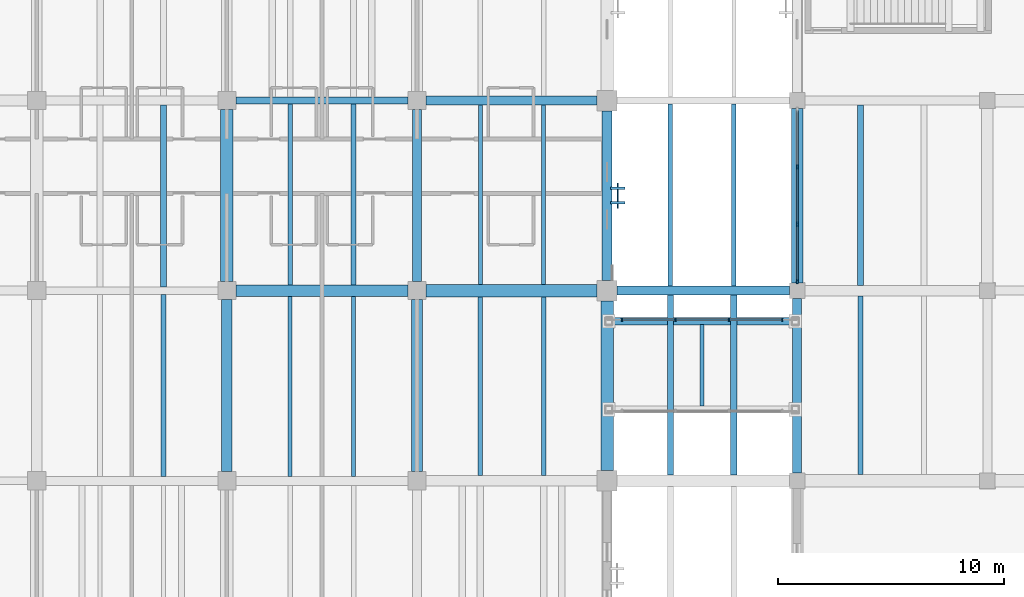
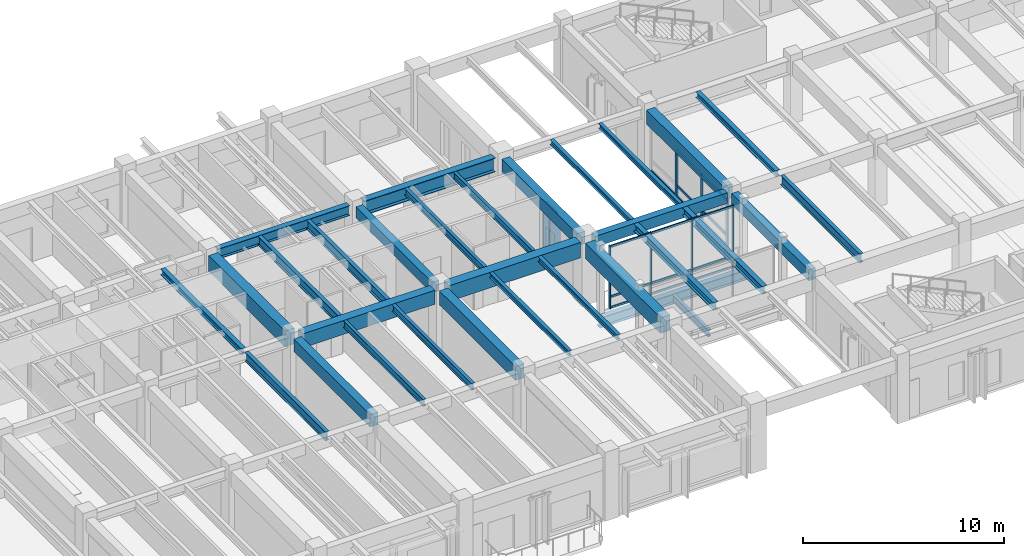
# One storey, part 49 of 132: 31 beams, 26 members, 3 elements without a shape of their own.
"""IFC4 building model written with IfcOpenShell, lengths in metres."""

from ifc_helpers import new_model, si_unit, direction, frame, origin, origin_2d, place, context, subcontext, project, spatial, rectangle, i_section, extrude, material, material_profile, profile_set, type_object, element, aggregate, save


model = new_model("IFC4")

# Units and contexts
model_context = context("Model", 3, precision=1e-05, world=origin(), true_north=direction((0.0, 1.0)))
body_context = subcontext(model_context, "Body", "Model", "MODEL_VIEW")
ifc_project = project(units=[si_unit("LENGTHUNIT", "METRE"), si_unit("AREAUNIT", "SQUARE_METRE"), si_unit("VOLUMEUNIT", "CUBIC_METRE"), si_unit("PLANEANGLEUNIT", "RADIAN"), si_unit("MASSUNIT", "GRAM", prefix="KILO")], contexts=[model_context])

# Site, building, storey
site_placement = place(None, origin())
site = spatial("IfcSite", under=ifc_project, at=site_placement, CompositionType="ELEMENT")
building_placement = place(site_placement, origin())
building = spatial("IfcBuilding", under=site, at=building_placement, Name="Cumbredor Promenade Congress Hotel", CompositionType="ELEMENT")
storey_placement = place(building_placement, frame((0.0, 0.0, 7.56005859375)))
storey = spatial("IfcBuildingStorey", under=building, at=storey_placement, Name="L02", CompositionType="ELEMENT", Elevation=7.56005859375)

# Beams
ifc_material_1 = material(Name="Concrete C40/50", Category="concrete")
ifc_material_profile_1 = material_profile(ifc_material_1, rectangle(XDim=0.39990234375, YDim=0.64990234375, at=origin_2d()), Name="RC BEAM 400x650")
ifc_profile_set_1 = profile_set([ifc_material_profile_1], Name="Concrete C40/50")
beam_type_1 = type_object("IfcBeamType", Name="BM-RC-400x650", PredefinedType="BEAM", material=ifc_profile_set_1)
for number, where, z_axis, x_axis, name in (
    (1, (75.60009765625, 101.199951171875, 3.474853515625), (0.0, 1.0, 0.0), (-1.0, 0.0, 0.0), "L03 Y-Grid Beam 136"),
    (2, (84.449951171875, 100.800048828125, 3.474853515625), (1.0, 0.0, 0.0), (0.0, 1.0, 0.0), "L03 X-Grid Beam 144"),
):
    element("IfcBeam", number, at=place(storey_placement, frame(where, z_axis=z_axis, x_axis=x_axis)), inside=storey, type_object=beam_type_1, Name=name, PredefinedType="BEAM", context=body_context, shape_type="SweptSolid", body=[
        extrude(rectangle(XDim=0.39990234375, YDim=0.64990234375, at=origin_2d()), origin(), (0.0, 0.0, 1.0), 7.60009765625),
    ])
beam_1_placement = place(storey_placement, frame((92.39990234375, 92.75, 3.474853515625), z_axis=(0.0, 1.0, 0.0), x_axis=(-1.0, 0.0, 0.0)))
element("IfcBeam", 3, at=beam_1_placement, inside=storey, type_object=beam_type_1, Name="L03 Y-Grid Beam 152", PredefinedType="BEAM", context=body_context, shape_type="SweptSolid", body=[
    extrude(rectangle(XDim=0.39990234375, YDim=0.64990234375, at=origin_2d()), origin(), (0.0, 0.0, 1.0), 7.699951171875),
])
ifc_material_profile_2 = material_profile(ifc_material_1, rectangle(XDim=0.449951171875, YDim=0.75, at=origin_2d()), Name="RC BEAM 450x750")
ifc_profile_set_2 = profile_set([ifc_material_profile_2], Name="Concrete C40/50")
beam_type_2 = type_object("IfcBeamType", Name="BM-RC-450x750", PredefinedType="BEAM", material=ifc_profile_set_2)
beam_2_placement = place(storey_placement, frame((67.199951171875, 92.800048828125, 3.425048828125), z_axis=(0.0, 1.0, 0.0), x_axis=(-1.0, 0.0, 0.0)))
element("IfcBeam", 4, at=beam_2_placement, inside=storey, type_object=beam_type_2, Name="L03 Y-Grid Beam 125", PredefinedType="BEAM", context=body_context, shape_type="SweptSolid", body=[
    extrude(rectangle(XDim=0.449951171875, YDim=0.75, at=origin_2d()), origin(), (0.0, 0.0, 1.0), 7.599853515625),
])
beam_3_placement = place(storey_placement, frame((84.0, 101.25, 3.425048828125), z_axis=(0.0, 1.0, 0.0), x_axis=(-1.0, 0.0, 0.0)))
element("IfcBeam", 5, at=beam_3_placement, inside=storey, type_object=beam_type_2, Name="L03 Y-Grid Beam 145", PredefinedType="BEAM", context=body_context, shape_type="SweptSolid", body=[
    extrude(rectangle(XDim=0.449951171875, YDim=0.75, at=origin_2d()), origin(), (0.0, 0.0, 1.0), 7.5),
])
ifc_material_profile_3 = material_profile(ifc_material_1, rectangle(XDim=0.5, YDim=0.85009765625, at=origin_2d()), Name="RC BEAM 500x850")
ifc_profile_set_3 = profile_set([ifc_material_profile_3], Name="Concrete C40/50")
beam_type_3 = type_object("IfcBeamType", Name="BM-RC-500x850", PredefinedType="BEAM", material=ifc_profile_set_3)
for number, where, z_axis, x_axis, name in (
    (6, (67.60009765625, 100.800048828125, 3.375), (1.0, 0.0, 0.0), (0.0, 1.0, 0.0), "L03 X-Grid Beam 126"),
    (7, (75.60009765625, 92.800048828125, 3.375), (0.0, 1.0, 0.0), (-1.0, 0.0, 0.0), "L03 Y-Grid Beam 134"),
):
    element("IfcBeam", number, at=place(storey_placement, frame(where, z_axis=z_axis, x_axis=x_axis)), inside=storey, type_object=beam_type_3, Name=name, PredefinedType="BEAM", context=body_context, shape_type="SweptSolid", body=[
        extrude(rectangle(XDim=0.5, YDim=0.85009765625, at=origin_2d()), origin(), (0.0, 0.0, 1.0), 7.599853515625),
    ])
beam_4_placement = place(storey_placement, frame((92.39990234375, 101.14990234375, 3.375), z_axis=(0.0, 1.0, 0.0), x_axis=(-1.0, 0.0, 0.0)))
element("IfcBeam", 8, at=beam_4_placement, inside=storey, type_object=beam_type_3, Name="L03 Y-Grid Beam 154", PredefinedType="BEAM", context=body_context, shape_type="SweptSolid", body=[
    extrude(rectangle(XDim=0.5, YDim=0.85009765625, at=origin_2d()), origin(), (0.0, 0.0, 1.0), 7.7001953125),
])
ifc_material_profile_4 = material_profile(ifc_material_1, rectangle(XDim=0.550048828125, YDim=0.949951171875, at=origin_2d()), Name="RC BEAM 550x950")
ifc_profile_set_4 = profile_set([ifc_material_profile_4], Name="Concrete C40/50")
beam_type_4 = type_object("IfcBeamType", Name="BM-RC-550x950", PredefinedType="BEAM", material=ifc_profile_set_4)
beam_5_placement = place(storey_placement, frame((67.199951171875, 101.199951171875, 3.324951171875), z_axis=(0.0, 1.0, 0.0), x_axis=(-1.0, 0.0, 0.0)))
element("IfcBeam", 9, at=beam_5_placement, inside=storey, type_object=beam_type_4, Name="L03 Y-Grid Beam 127", PredefinedType="BEAM", context=body_context, shape_type="SweptSolid", body=[
    extrude(rectangle(XDim=0.550048828125, YDim=0.949951171875, at=origin_2d()), origin(), (0.0, 0.0, 1.0), 7.60009765625),
])
beam_6_placement = place(storey_placement, frame((76.0, 100.800048828125, 3.324951171875), z_axis=(1.0, 0.0, 0.0), x_axis=(0.0, 1.0, 0.0)))
element("IfcBeam", 10, at=beam_6_placement, inside=storey, type_object=beam_type_4, Name="L03 X-Grid Beam 135", PredefinedType="BEAM", context=body_context, shape_type="SweptSolid", body=[
    extrude(rectangle(XDim=0.550048828125, YDim=0.949951171875, at=origin_2d()), origin(), (0.0, 0.0, 1.0), 7.550048828125),
])
beam_7_placement = place(storey_placement, frame((84.0, 92.85009765625, 3.324951171875), z_axis=(0.0, 1.0, 0.0), x_axis=(-1.0, 0.0, 0.0)))
element("IfcBeam", 11, at=beam_7_placement, inside=storey, type_object=beam_type_4, Name="L03 Y-Grid Beam 143", PredefinedType="BEAM", context=body_context, shape_type="SweptSolid", body=[
    extrude(rectangle(XDim=0.550048828125, YDim=0.949951171875, at=origin_2d()), origin(), (0.0, 0.0, 1.0), 7.5),
])
ifc_material_2 = material(Name="Steel ASTM A992 Grade 50", Category="steel")
ifc_material_profile_5 = material_profile(ifc_material_2, i_section(OverallWidth=0.323974609375, OverallDepth=0.611083984375, WebThickness=0.0126953125, FlangeThickness=0.01904296875, at=origin_2d()), Name="W24X104")
ifc_profile_set_5 = profile_set([ifc_material_profile_5], Name="Steel ASTM A992 Grade 50")
beam_type_5 = type_object("IfcBeamType", Name="BM-W24X104", PredefinedType="BEAM", material=ifc_profile_set_5)
beam_8_placement = place(storey_placement, frame((67.60009765625, 109.199951171875, 3.494384765625), z_axis=(1.0, 0.0, 0.0), x_axis=(0.0, 1.0, 0.0)))
element("IfcBeam", 12, at=beam_8_placement, inside=storey, type_object=beam_type_5, Name="L03 X-Grid Beam 128", PredefinedType="BEAM", context=body_context, shape_type="SweptSolid", body=[
    extrude(i_section(OverallWidth=0.323974609375, OverallDepth=0.611083984375, WebThickness=0.0126953125, FlangeThickness=0.01904296875, at=origin_2d()), origin(), (0.0, 0.0, 1.0), 7.599853515625),
])
beam_9_placement = place(storey_placement, frame((83.9599609375, 99.449951171875, -0.525634765625), z_axis=(1.0, 0.0, 0.0), x_axis=(0.0, 1.0, 0.0)))
element("IfcBeam", 13, at=beam_9_placement, inside=storey, type_object=beam_type_5, Name="L02 North Hotel-to-Forum Glazed Bridge Edge Girder 2", PredefinedType="BEAM", context=body_context, shape_type="SweptSolid", body=[
    extrude(i_section(OverallWidth=0.323974609375, OverallDepth=0.611083984375, WebThickness=0.0126953125, FlangeThickness=0.01904296875, at=origin_2d()), origin(), (0.0, 0.0, 1.0), 8.47998046875),
])
ifc_material_profile_6 = material_profile(ifc_material_2, i_section(OverallWidth=0.39990234375, OverallDepth=0.85498046875, WebThickness=0.018310546875, FlangeThickness=0.029296875, at=origin_2d()), Name="W33X201")
ifc_profile_set_6 = profile_set([ifc_material_profile_6], Name="Steel ASTM A992 Grade 50")
beam_type_6 = type_object("IfcBeamType", Name="BM-W33X201", PredefinedType="BEAM", material=ifc_profile_set_6)
beam_10_placement = place(storey_placement, frame((76.0, 109.199951171875, 3.37255859375), z_axis=(1.0, 0.0, 0.0), x_axis=(0.0, 1.0, 0.0)))
element("IfcBeam", 14, at=beam_10_placement, inside=storey, type_object=beam_type_6, Name="L03 X-Grid Beam 137", PredefinedType="BEAM", context=body_context, shape_type="SweptSolid", body=[
    extrude(i_section(OverallWidth=0.39990234375, OverallDepth=0.85498046875, WebThickness=0.018310546875, FlangeThickness=0.029296875, at=origin_2d()), origin(), (0.0, 0.0, 1.0), 7.550048828125),
])

# Curtain wall, members
ifc_material_3 = material(Name="Thermally broken anodized aluminium and low-E glass", Category="aluminium")
curtain_wall_type_1 = type_object("IfcCurtainWallType", Name="Unitised Bridge Glazing Screen CW-05", PredefinedType="NOTDEFINED", material=ifc_material_3)
curtain_wall_1_placement = place(storey_placement, origin())
curtain_wall_1 = element("IfcCurtainWall", 15, at=curtain_wall_1_placement, inside=storey, type_object=curtain_wall_type_1, Name="L02 North Hotel-to-Forum Glazed Bridge North Glazing Screen", PredefinedType="NOTDEFINED")
ifc_material_4 = material(Name="Thermally broken anodized aluminium", Category="aluminium")
ifc_material_profile_7 = material_profile(ifc_material_4, rectangle(XDim=0.06494140625, YDim=0.159912109375, at=origin_2d()), Name="ALU MULLION 65x160")
ifc_profile_set_7 = profile_set([ifc_material_profile_7], Name="Thermally broken anodized aluminium")
member_type_1 = type_object("IfcMemberType", Name="Curtain Wall Mullion ML-01", PredefinedType="MULLION", material=ifc_profile_set_7)
member_1_placement = place(storey_placement, frame((84.659912109375, 99.52001953125, -0.008056640625), z_axis=(0.0, 0.0, 1.0), x_axis=(1.0, 0.0, 0.0)))
member_1 = element("IfcMember", 16, at=member_1_placement, type_object=member_type_1, Name="L02 North Hotel-to-Forum Glazed Bridge North Glazing Screen Mullion 1", PredefinedType="MULLION", context=body_context, shape_type="SweptSolid", body=[
    extrude(rectangle(XDim=0.06494140625, YDim=0.159912109375, at=origin_2d()), origin(), (0.0, 0.0, 1.0), 3.8359375),
])
member_2_placement = place(storey_placement, frame((87.02001953125, 99.52001953125, -0.008056640625), z_axis=(0.0, 0.0, 1.0), x_axis=(1.0, 0.0, 0.0)))
member_2 = element("IfcMember", 17, at=member_2_placement, type_object=member_type_1, Name="L02 North Hotel-to-Forum Glazed Bridge North Glazing Screen Mullion 2", PredefinedType="MULLION", context=body_context, shape_type="SweptSolid", body=[
    extrude(rectangle(XDim=0.06494140625, YDim=0.159912109375, at=origin_2d()), origin(), (0.0, 0.0, 1.0), 3.8359375),
])
member_3_placement = place(storey_placement, frame((89.3798828125, 99.52001953125, -0.008056640625), z_axis=(0.0, 0.0, 1.0), x_axis=(1.0, 0.0, 0.0)))
member_3 = element("IfcMember", 18, at=member_3_placement, type_object=member_type_1, Name="L02 North Hotel-to-Forum Glazed Bridge North Glazing Screen Mullion 3", PredefinedType="MULLION", context=body_context, shape_type="SweptSolid", body=[
    extrude(rectangle(XDim=0.06494140625, YDim=0.159912109375, at=origin_2d()), origin(), (0.0, 0.0, 1.0), 3.8359375),
])
member_4_placement = place(storey_placement, frame((91.739990234375, 99.52001953125, -0.008056640625), z_axis=(0.0, 0.0, 1.0), x_axis=(1.0, 0.0, 0.0)))
member_4 = element("IfcMember", 19, at=member_4_placement, type_object=member_type_1, Name="L02 North Hotel-to-Forum Glazed Bridge North Glazing Screen Mullion 4", PredefinedType="MULLION", context=body_context, shape_type="SweptSolid", body=[
    extrude(rectangle(XDim=0.06494140625, YDim=0.159912109375, at=origin_2d()), origin(), (0.0, 0.0, 1.0), 3.8359375),
])

curtain_wall_type_2 = type_object("IfcCurtainWallType", Name="Unitised Forum Curtain Wall CW-02", PredefinedType="NOTDEFINED", material=ifc_material_3)
curtain_wall_2_placement = place(storey_placement, origin())
curtain_wall_2 = element("IfcCurtainWall", 20, at=curtain_wall_2_placement, inside=storey, type_object=curtain_wall_type_2, Name="L02 Pre-Function and Breakout Meeting Forum West Curtain Wall 3", PredefinedType="NOTDEFINED")
ifc_material_profile_8 = material_profile(ifc_material_4, rectangle(XDim=0.074951171875, YDim=0.199951171875, at=origin_2d()), Name="ALU MULLION 75x200")
ifc_profile_set_8 = profile_set([ifc_material_profile_8], Name="Thermally broken anodized aluminium")
member_type_2 = type_object("IfcMemberType", Name="Curtain Wall Mullion ML-02", PredefinedType="MULLION", material=ifc_profile_set_8)
member_5_placement = place(storey_placement, frame((92.39990234375, 101.205078125, -0.008056640625), z_axis=(0.0, 0.0, 1.0), x_axis=(1.0, 0.0, 0.0)))
member_5 = element("IfcMember", 21, at=member_5_placement, type_object=member_type_2, Name="L02 Pre-Function and Breakout Meeting Forum West Curtain Wall 3 Mullion 1", PredefinedType="MULLION", context=body_context, shape_type="SweptSolid", body=[
    extrude(rectangle(XDim=0.074951171875, YDim=0.199951171875, at=origin_2d()), origin(), (0.0, 0.0, 1.0), 2.950927734375),
])
member_6_placement = place(storey_placement, frame((92.39990234375, 103.735107421875, -0.008056640625), z_axis=(0.0, 0.0, 1.0), x_axis=(1.0, 0.0, 0.0)))
member_6 = element("IfcMember", 22, at=member_6_placement, type_object=member_type_2, Name="L02 Pre-Function and Breakout Meeting Forum West Curtain Wall 3 Mullion 2", PredefinedType="MULLION", context=body_context, shape_type="SweptSolid", body=[
    extrude(rectangle(XDim=0.074951171875, YDim=0.199951171875, at=origin_2d()), origin(), (0.0, 0.0, 1.0), 2.950927734375),
])
member_7_placement = place(storey_placement, frame((92.39990234375, 106.264892578125, -0.008056640625), z_axis=(0.0, 0.0, 1.0), x_axis=(1.0, 0.0, 0.0)))
member_7 = element("IfcMember", 23, at=member_7_placement, type_object=member_type_2, Name="L02 Pre-Function and Breakout Meeting Forum West Curtain Wall 3 Mullion 3", PredefinedType="MULLION", context=body_context, shape_type="SweptSolid", body=[
    extrude(rectangle(XDim=0.074951171875, YDim=0.199951171875, at=origin_2d()), origin(), (0.0, 0.0, 1.0), 2.950927734375),
])

# Curtain wall, member
curtain_wall_type_3 = type_object("IfcCurtainWallType", Name="Solar Brise-Soleil Screen Assembly CW-07", PredefinedType="NOTDEFINED", material=ifc_material_3)
curtain_wall_3_placement = place(storey_placement, origin())
curtain_wall_3 = element("IfcCurtainWall", 24, at=curtain_wall_3_placement, inside=storey, type_object=curtain_wall_type_3, Name="L02 Pier Brise-Soleil Screen 0514", PredefinedType="NOTDEFINED")
ifc_material_profile_9 = material_profile(ifc_material_4, rectangle(XDim=0.06494140625, YDim=0.1298828125, at=origin_2d()), Name="ALU TRANSOM 65x130")
ifc_profile_set_9 = profile_set([ifc_material_profile_9], Name="Thermally broken anodized aluminium")
member_type_3 = type_object("IfcMemberType", Name="Curtain Wall Transom TR-01", PredefinedType="USERDEFINED", material=ifc_profile_set_9)
member_8_placement = place(storey_placement, frame((84.472412109375, 104.449951171875, 2.875), z_axis=(0.0, 1.0, 0.0), x_axis=(-1.0, 0.0, 0.0)))
member_8 = element("IfcMember", 25, at=member_8_placement, type_object=member_type_3, Name="L02 Pier Brise-Soleil Header 0516", ObjectType="TRANSOM", PredefinedType="USERDEFINED", context=body_context, shape_type="SweptSolid", body=[
    extrude(rectangle(XDim=0.06494140625, YDim=0.1298828125, at=origin_2d()), origin(), (0.0, 0.0, 1.0), 1.10009765625),
])

# Member
member_9_placement = place(storey_placement, frame((84.6923828125, 99.52001953125, 0.06005859375), z_axis=(1.0, 0.0, 0.0), x_axis=(0.0, 1.0, 0.0)))
member_9 = element("IfcMember", 26, at=member_9_placement, type_object=member_type_3, Name="L02 North Hotel-to-Forum Glazed Bridge North Glazing Screen Transom 1.1", ObjectType="TRANSOM", PredefinedType="USERDEFINED", context=body_context, shape_type="SweptSolid", body=[
    extrude(rectangle(XDim=0.06494140625, YDim=0.1298828125, at=origin_2d()), origin(), (0.0, 0.0, 1.0), 2.295166015625),
])

member_10_placement = place(storey_placement, frame((84.6923828125, 99.52001953125, 0.719970703125), z_axis=(1.0, 0.0, 0.0), x_axis=(0.0, 1.0, 0.0)))
member_10 = element("IfcMember", 27, at=member_10_placement, type_object=member_type_3, Name="L02 North Hotel-to-Forum Glazed Bridge North Glazing Screen Transom 1.2", ObjectType="TRANSOM", PredefinedType="USERDEFINED", context=body_context, shape_type="SweptSolid", body=[
    extrude(rectangle(XDim=0.06494140625, YDim=0.1298828125, at=origin_2d()), origin(), (0.0, 0.0, 1.0), 2.295166015625),
])

member_11_placement = place(storey_placement, frame((84.6923828125, 99.52001953125, 3.760009765625), z_axis=(1.0, 0.0, 0.0), x_axis=(0.0, 1.0, 0.0)))
member_11 = element("IfcMember", 28, at=member_11_placement, type_object=member_type_3, Name="L02 North Hotel-to-Forum Glazed Bridge North Glazing Screen Transom 1.3", ObjectType="TRANSOM", PredefinedType="USERDEFINED", context=body_context, shape_type="SweptSolid", body=[
    extrude(rectangle(XDim=0.06494140625, YDim=0.1298828125, at=origin_2d()), origin(), (0.0, 0.0, 1.0), 2.295166015625),
])

member_12_placement = place(storey_placement, frame((87.052490234375, 99.52001953125, 0.06005859375), z_axis=(1.0, 0.0, 0.0), x_axis=(0.0, 1.0, 0.0)))
member_12 = element("IfcMember", 29, at=member_12_placement, type_object=member_type_3, Name="L02 North Hotel-to-Forum Glazed Bridge North Glazing Screen Transom 2.1", ObjectType="TRANSOM", PredefinedType="USERDEFINED", context=body_context, shape_type="SweptSolid", body=[
    extrude(rectangle(XDim=0.06494140625, YDim=0.1298828125, at=origin_2d()), origin(), (0.0, 0.0, 1.0), 2.294921875),
])

member_13_placement = place(storey_placement, frame((87.052490234375, 99.52001953125, 0.719970703125), z_axis=(1.0, 0.0, 0.0), x_axis=(0.0, 1.0, 0.0)))
member_13 = element("IfcMember", 30, at=member_13_placement, type_object=member_type_3, Name="L02 North Hotel-to-Forum Glazed Bridge North Glazing Screen Transom 2.2", ObjectType="TRANSOM", PredefinedType="USERDEFINED", context=body_context, shape_type="SweptSolid", body=[
    extrude(rectangle(XDim=0.06494140625, YDim=0.1298828125, at=origin_2d()), origin(), (0.0, 0.0, 1.0), 2.294921875),
])

member_14_placement = place(storey_placement, frame((87.052490234375, 99.52001953125, 3.760009765625), z_axis=(1.0, 0.0, 0.0), x_axis=(0.0, 1.0, 0.0)))
member_14 = element("IfcMember", 31, at=member_14_placement, type_object=member_type_3, Name="L02 North Hotel-to-Forum Glazed Bridge North Glazing Screen Transom 2.3", ObjectType="TRANSOM", PredefinedType="USERDEFINED", context=body_context, shape_type="SweptSolid", body=[
    extrude(rectangle(XDim=0.06494140625, YDim=0.1298828125, at=origin_2d()), origin(), (0.0, 0.0, 1.0), 2.294921875),
])

member_15_placement = place(storey_placement, frame((89.41259765625, 99.52001953125, 0.06005859375), z_axis=(1.0, 0.0, 0.0), x_axis=(0.0, 1.0, 0.0)))
member_15 = element("IfcMember", 32, at=member_15_placement, type_object=member_type_3, Name="L02 North Hotel-to-Forum Glazed Bridge North Glazing Screen Transom 3.1", ObjectType="TRANSOM", PredefinedType="USERDEFINED", context=body_context, shape_type="SweptSolid", body=[
    extrude(rectangle(XDim=0.06494140625, YDim=0.1298828125, at=origin_2d()), origin(), (0.0, 0.0, 1.0), 2.294921875),
])

member_16_placement = place(storey_placement, frame((89.41259765625, 99.52001953125, 0.719970703125), z_axis=(1.0, 0.0, 0.0), x_axis=(0.0, 1.0, 0.0)))
member_16 = element("IfcMember", 33, at=member_16_placement, type_object=member_type_3, Name="L02 North Hotel-to-Forum Glazed Bridge North Glazing Screen Transom 3.2", ObjectType="TRANSOM", PredefinedType="USERDEFINED", context=body_context, shape_type="SweptSolid", body=[
    extrude(rectangle(XDim=0.06494140625, YDim=0.1298828125, at=origin_2d()), origin(), (0.0, 0.0, 1.0), 2.294921875),
])

member_17_placement = place(storey_placement, frame((89.41259765625, 99.52001953125, 3.760009765625), z_axis=(1.0, 0.0, 0.0), x_axis=(0.0, 1.0, 0.0)))
member_17 = element("IfcMember", 34, at=member_17_placement, type_object=member_type_3, Name="L02 North Hotel-to-Forum Glazed Bridge North Glazing Screen Transom 3.3", ObjectType="TRANSOM", PredefinedType="USERDEFINED", context=body_context, shape_type="SweptSolid", body=[
    extrude(rectangle(XDim=0.06494140625, YDim=0.1298828125, at=origin_2d()), origin(), (0.0, 0.0, 1.0), 2.294921875),
])

aggregate(curtain_wall_1, [member_1, member_2, member_3, member_4, member_9, member_10, member_11, member_12, member_13, member_14, member_15, member_16, member_17])

ifc_material_profile_10 = material_profile(ifc_material_4, rectangle(XDim=0.074951171875, YDim=0.14990234375, at=origin_2d()), Name="ALU TRANSOM 75x150")
ifc_profile_set_10 = profile_set([ifc_material_profile_10], Name="Thermally broken anodized aluminium")
member_type_4 = type_object("IfcMemberType", Name="Curtain Wall Transom TR-02", PredefinedType="USERDEFINED", material=ifc_profile_set_10)
member_18_placement = place(storey_placement, frame((92.39990234375, 101.242431640625, 0.06982421875), z_axis=(0.0, 1.0, 0.0), x_axis=(-1.0, 0.0, 0.0)))
member_18 = element("IfcMember", 35, at=member_18_placement, type_object=member_type_4, Name="L02 Pre-Function and Breakout Meeting Forum West Curtain Wall 3 Transom 1.1", ObjectType="TRANSOM", PredefinedType="USERDEFINED", context=body_context, shape_type="SweptSolid", body=[
    extrude(rectangle(XDim=0.074951171875, YDim=0.14990234375, at=origin_2d()), origin(), (0.0, 0.0, 1.0), 2.455078125),
])

member_19_placement = place(storey_placement, frame((92.39990234375, 101.242431640625, 0.719970703125), z_axis=(0.0, 1.0, 0.0), x_axis=(-1.0, 0.0, 0.0)))
member_19 = element("IfcMember", 36, at=member_19_placement, type_object=member_type_4, Name="L02 Pre-Function and Breakout Meeting Forum West Curtain Wall 3 Transom 1.2", ObjectType="TRANSOM", PredefinedType="USERDEFINED", context=body_context, shape_type="SweptSolid", body=[
    extrude(rectangle(XDim=0.074951171875, YDim=0.14990234375, at=origin_2d()), origin(), (0.0, 0.0, 1.0), 2.455078125),
])

member_20_placement = place(storey_placement, frame((92.39990234375, 101.242431640625, 2.85986328125), z_axis=(0.0, 1.0, 0.0), x_axis=(-1.0, 0.0, 0.0)))
member_20 = element("IfcMember", 37, at=member_20_placement, type_object=member_type_4, Name="L02 Pre-Function and Breakout Meeting Forum West Curtain Wall 3 Transom 1.3", ObjectType="TRANSOM", PredefinedType="USERDEFINED", context=body_context, shape_type="SweptSolid", body=[
    extrude(rectangle(XDim=0.074951171875, YDim=0.14990234375, at=origin_2d()), origin(), (0.0, 0.0, 1.0), 2.455078125),
])

member_21_placement = place(storey_placement, frame((92.39990234375, 103.7724609375, 0.06982421875), z_axis=(0.0, 1.0, 0.0), x_axis=(-1.0, 0.0, 0.0)))
member_21 = element("IfcMember", 38, at=member_21_placement, type_object=member_type_4, Name="L02 Pre-Function and Breakout Meeting Forum West Curtain Wall 3 Transom 2.1", ObjectType="TRANSOM", PredefinedType="USERDEFINED", context=body_context, shape_type="SweptSolid", body=[
    extrude(rectangle(XDim=0.074951171875, YDim=0.14990234375, at=origin_2d()), origin(), (0.0, 0.0, 1.0), 2.455078125),
])

member_22_placement = place(storey_placement, frame((92.39990234375, 103.7724609375, 0.719970703125), z_axis=(0.0, 1.0, 0.0), x_axis=(-1.0, 0.0, 0.0)))
member_22 = element("IfcMember", 39, at=member_22_placement, type_object=member_type_4, Name="L02 Pre-Function and Breakout Meeting Forum West Curtain Wall 3 Transom 2.2", ObjectType="TRANSOM", PredefinedType="USERDEFINED", context=body_context, shape_type="SweptSolid", body=[
    extrude(rectangle(XDim=0.074951171875, YDim=0.14990234375, at=origin_2d()), origin(), (0.0, 0.0, 1.0), 2.455078125),
])

member_23_placement = place(storey_placement, frame((92.39990234375, 103.7724609375, 2.85986328125), z_axis=(0.0, 1.0, 0.0), x_axis=(-1.0, 0.0, 0.0)))
member_23 = element("IfcMember", 40, at=member_23_placement, type_object=member_type_4, Name="L02 Pre-Function and Breakout Meeting Forum West Curtain Wall 3 Transom 2.3", ObjectType="TRANSOM", PredefinedType="USERDEFINED", context=body_context, shape_type="SweptSolid", body=[
    extrude(rectangle(XDim=0.074951171875, YDim=0.14990234375, at=origin_2d()), origin(), (0.0, 0.0, 1.0), 2.455078125),
])

member_24_placement = place(storey_placement, frame((92.39990234375, 106.302490234375, 0.06982421875), z_axis=(0.0, 1.0, 0.0), x_axis=(-1.0, 0.0, 0.0)))
member_24 = element("IfcMember", 41, at=member_24_placement, type_object=member_type_4, Name="L02 Pre-Function and Breakout Meeting Forum West Curtain Wall 3 Transom 3.1", ObjectType="TRANSOM", PredefinedType="USERDEFINED", context=body_context, shape_type="SweptSolid", body=[
    extrude(rectangle(XDim=0.074951171875, YDim=0.14990234375, at=origin_2d()), origin(), (0.0, 0.0, 1.0), 2.455078125),
])

aggregate(curtain_wall_2, [member_5, member_6, member_7, member_18, member_19, member_20, member_21, member_22, member_23, member_24])

# Beams
ifc_material_profile_11 = material_profile(ifc_material_2, i_section(OverallWidth=0.202880859375, OverallDepth=0.302978515625, WebThickness=0.007568359375, FlangeThickness=0.01318359375, at=origin_2d()), Name="W12X40")
ifc_profile_set_11 = profile_set([ifc_material_profile_11], Name="Steel ASTM A992 Grade 50")
beam_type_7 = type_object("IfcBeamType", Name="JST-W12X40", PredefinedType="JOIST", material=ifc_profile_set_11)
for number, where, z_axis, x_axis, name in (
    (42, (78.39990234375, 92.625, 3.6484375), (0.0, 1.0, 0.0), (-1.0, 0.0, 0.0), "L03 Secondary Floor Joist 0076"),
    (43, (81.199951171875, 92.625, 3.6484375), (0.0, 1.0, 0.0), (-1.0, 0.0, 0.0), "L03 Secondary Floor Joist 0077"),
):
    element("IfcBeam", number, at=place(storey_placement, frame(where, z_axis=z_axis, x_axis=x_axis)), inside=storey, type_object=beam_type_7, Name=name, PredefinedType="JOIST", context=body_context, shape_type="SweptSolid", body=[
        extrude(i_section(OverallWidth=0.202880859375, OverallDepth=0.302978515625, WebThickness=0.007568359375, FlangeThickness=0.01318359375, at=origin_2d()), origin(), (0.0, 0.0, 1.0), 7.89990234375),
    ])
for number, where, z_axis, x_axis, name in (
    (44, (86.800048828125, 101.0, 3.6484375), (0.0, 1.0, 0.0), (-1.0, 0.0, 0.0), "L03 Secondary Floor Joist 0086"),
    (45, (89.60009765625, 101.0, 3.6484375), (0.0, 1.0, 0.0), (-1.0, 0.0, 0.0), "L03 Secondary Floor Joist 0087"),
):
    element("IfcBeam", number, at=place(storey_placement, frame(where, z_axis=z_axis, x_axis=x_axis)), inside=storey, type_object=beam_type_7, Name=name, PredefinedType="JOIST", context=body_context, shape_type="SweptSolid", body=[
        extrude(i_section(OverallWidth=0.202880859375, OverallDepth=0.302978515625, WebThickness=0.007568359375, FlangeThickness=0.01318359375, at=origin_2d()), origin(), (0.0, 0.0, 1.0), 8.0380859375),
    ])
ifc_material_profile_12 = material_profile(ifc_material_2, i_section(OverallWidth=0.2548828125, OverallDepth=0.35693359375, WebThickness=0.010498046875, FlangeThickness=0.018310546875, at=origin_2d()), Name="W14X68")
ifc_profile_set_12 = profile_set([ifc_material_profile_12], Name="Steel ASTM A992 Grade 50")
beam_type_8 = type_object("IfcBeamType", Name="JST-W14X68", PredefinedType="JOIST", material=ifc_profile_set_12)
beam_11_placement = place(storey_placement, frame((64.39990234375, 100.9619140625, 3.621337890625), z_axis=(0.0, 1.0, 0.0), x_axis=(-1.0, 0.0, 0.0)))
element("IfcBeam", 46, at=beam_11_placement, inside=storey, type_object=beam_type_8, Name="L03 Secondary Floor Joist 0063", PredefinedType="JOIST", context=body_context, shape_type="SweptSolid", body=[
    extrude(i_section(OverallWidth=0.2548828125, OverallDepth=0.35693359375, WebThickness=0.010498046875, FlangeThickness=0.018310546875, at=origin_2d()), origin(), (0.0, 0.0, 1.0), 8.0380859375),
])
beam_12_placement = place(storey_placement, frame((95.199951171875, 101.02490234375, 3.621337890625), z_axis=(0.0, 1.0, 0.0), x_axis=(-1.0, 0.0, 0.0)))
element("IfcBeam", 47, at=beam_12_placement, inside=storey, type_object=beam_type_8, Name="L03 Secondary Floor Joist 0092", PredefinedType="JOIST", context=body_context, shape_type="SweptSolid", body=[
    extrude(i_section(OverallWidth=0.2548828125, OverallDepth=0.35693359375, WebThickness=0.010498046875, FlangeThickness=0.018310546875, at=origin_2d()), origin(), (0.0, 0.0, 1.0), 7.97509765625),
])
ifc_material_profile_13 = material_profile(ifc_material_2, i_section(OverallWidth=0.180908203125, OverallDepth=0.4169921875, WebThickness=0.010986328125, FlangeThickness=0.018310546875, at=origin_2d()), Name="W16X57")
ifc_profile_set_13 = profile_set([ifc_material_profile_13], Name="Steel ASTM A992 Grade 50")
beam_type_9 = type_object("IfcBeamType", Name="JST-W16X57", PredefinedType="JOIST", material=ifc_profile_set_13)
for number, where, z_axis, x_axis, name in (
    (48, (70.0, 92.60009765625, 3.591552734375), (0.0, 1.0, 0.0), (-1.0, 0.0, 0.0), "L03 Secondary Floor Joist 0068"),
    (49, (72.800048828125, 92.60009765625, 3.591552734375), (0.0, 1.0, 0.0), (-1.0, 0.0, 0.0), "L03 Secondary Floor Joist 0069"),
):
    element("IfcBeam", number, at=place(storey_placement, frame(where, z_axis=z_axis, x_axis=x_axis)), inside=storey, type_object=beam_type_9, Name=name, PredefinedType="JOIST", context=body_context, shape_type="SweptSolid", body=[
        extrude(i_section(OverallWidth=0.180908203125, OverallDepth=0.4169921875, WebThickness=0.010986328125, FlangeThickness=0.018310546875, at=origin_2d()), origin(), (0.0, 0.0, 1.0), 7.949951171875),
    ])
for number, where, z_axis, x_axis, name in (
    (50, (78.39990234375, 101.074951171875, 3.591552734375), (0.0, 1.0, 0.0), (-1.0, 0.0, 0.0), "L03 Secondary Floor Joist 0078"),
    (51, (81.199951171875, 101.074951171875, 3.591552734375), (0.0, 1.0, 0.0), (-1.0, 0.0, 0.0), "L03 Secondary Floor Joist 0079"),
):
    element("IfcBeam", number, at=place(storey_placement, frame(where, z_axis=z_axis, x_axis=x_axis)), inside=storey, type_object=beam_type_9, Name=name, PredefinedType="JOIST", context=body_context, shape_type="SweptSolid", body=[
        extrude(i_section(OverallWidth=0.180908203125, OverallDepth=0.4169921875, WebThickness=0.010986328125, FlangeThickness=0.018310546875, at=origin_2d()), origin(), (0.0, 0.0, 1.0), 7.925048828125),
    ])
beam_13_placement = place(storey_placement, frame((88.199951171875, 95.699951171875, -0.428466796875), z_axis=(0.0, 1.0, 0.0), x_axis=(-1.0, 0.0, 0.0)))
element("IfcBeam", 52, at=beam_13_placement, inside=storey, type_object=beam_type_9, Name="L02 North Hotel-to-Forum Glazed Bridge Cross Beam", PredefinedType="JOIST", context=body_context, shape_type="SweptSolid", body=[
    extrude(i_section(OverallWidth=0.180908203125, OverallDepth=0.4169921875, WebThickness=0.010986328125, FlangeThickness=0.018310546875, at=origin_2d()), origin(), (0.0, 0.0, 1.0), 3.60009765625),
])
ifc_material_profile_14 = material_profile(ifc_material_2, i_section(OverallWidth=0.280029296875, OverallDepth=0.462890625, WebThickness=0.0107421875, FlangeThickness=0.017333984375, at=origin_2d()), Name="W18X76")
ifc_profile_set_14 = profile_set([ifc_material_profile_14], Name="Steel ASTM A992 Grade 50")
beam_type_10 = type_object("IfcBeamType", Name="JST-W18X76", PredefinedType="JOIST", material=ifc_profile_set_14)
for number, where, z_axis, x_axis, name in (
    (53, (86.800048828125, 92.64990234375, 3.568359375), (0.0, 1.0, 0.0), (-1.0, 0.0, 0.0), "L03 Secondary Floor Joist 0084"),
    (54, (89.60009765625, 92.64990234375, 3.568359375), (0.0, 1.0, 0.0), (-1.0, 0.0, 0.0), "L03 Secondary Floor Joist 0085"),
):
    element("IfcBeam", number, at=place(storey_placement, frame(where, z_axis=z_axis, x_axis=x_axis)), inside=storey, type_object=beam_type_10, Name=name, PredefinedType="JOIST", context=body_context, shape_type="SweptSolid", body=[
        extrude(i_section(OverallWidth=0.280029296875, OverallDepth=0.462890625, WebThickness=0.0107421875, FlangeThickness=0.017333984375, at=origin_2d()), origin(), (0.0, 0.0, 1.0), 7.9501953125),
    ])
ifc_material_profile_15 = material_profile(ifc_material_2, i_section(OverallWidth=0.214111328125, OverallDepth=0.549072265625, WebThickness=0.0146484375, FlangeThickness=0.023681640625, at=origin_2d()), Name="W21X93")
ifc_profile_set_15 = profile_set([ifc_material_profile_15], Name="Steel ASTM A992 Grade 50")
beam_type_11 = type_object("IfcBeamType", Name="JST-W21X93", PredefinedType="JOIST", material=ifc_profile_set_15)
beam_14_placement = place(storey_placement, frame((64.39990234375, 92.60009765625, 3.525390625), z_axis=(0.0, 1.0, 0.0), x_axis=(-1.0, 0.0, 0.0)))
element("IfcBeam", 55, at=beam_14_placement, inside=storey, type_object=beam_type_11, Name="L03 Secondary Floor Joist 0061", PredefinedType="JOIST", context=body_context, shape_type="SweptSolid", body=[
    extrude(i_section(OverallWidth=0.214111328125, OverallDepth=0.549072265625, WebThickness=0.0146484375, FlangeThickness=0.023681640625, at=origin_2d()), origin(), (0.0, 0.0, 1.0), 8.037841796875),
])
for number, where, z_axis, x_axis, name in (
    (56, (70.0, 101.050048828125, 3.525390625), (0.0, 1.0, 0.0), (-1.0, 0.0, 0.0), "L03 Secondary Floor Joist 0070"),
    (57, (72.800048828125, 101.050048828125, 3.525390625), (0.0, 1.0, 0.0), (-1.0, 0.0, 0.0), "L03 Secondary Floor Joist 0071"),
):
    element("IfcBeam", number, at=place(storey_placement, frame(where, z_axis=z_axis, x_axis=x_axis)), inside=storey, type_object=beam_type_11, Name=name, PredefinedType="JOIST", context=body_context, shape_type="SweptSolid", body=[
        extrude(i_section(OverallWidth=0.214111328125, OverallDepth=0.549072265625, WebThickness=0.0146484375, FlangeThickness=0.023681640625, at=origin_2d()), origin(), (0.0, 0.0, 1.0), 7.988037109375),
    ])
beam_15_placement = place(storey_placement, frame((95.199951171875, 92.675048828125, 3.525390625), z_axis=(0.0, 1.0, 0.0), x_axis=(-1.0, 0.0, 0.0)))
element("IfcBeam", 58, at=beam_15_placement, inside=storey, type_object=beam_type_11, Name="L03 Secondary Floor Joist 0090", PredefinedType="JOIST", context=body_context, shape_type="SweptSolid", body=[
    extrude(i_section(OverallWidth=0.214111328125, OverallDepth=0.549072265625, WebThickness=0.0146484375, FlangeThickness=0.023681640625, at=origin_2d()), origin(), (0.0, 0.0, 1.0), 7.89990234375),
])

# Member
ifc_material_profile_16 = material_profile(ifc_material_4, rectangle(XDim=0.110107421875, YDim=0.6201171875, at=origin_2d()), Name="ARCH FIN 110x620")
ifc_profile_set_16 = profile_set([ifc_material_profile_16], Name="Thermally broken anodized aluminium")
member_type_5 = type_object("IfcMemberType", Name="Vertical Bronze Brise-Soleil Fin BSF-02 110x620", PredefinedType="USERDEFINED", material=ifc_profile_set_16)
member_25_placement = place(storey_placement, frame((84.472412109375, 104.679931640625, 0.02001953125), z_axis=(0.0, 0.0, 1.0), x_axis=(0.0, 1.0, 0.0)))
member_25 = element("IfcMember", 59, at=member_25_placement, type_object=member_type_5, Name="L02 Pier Brise-Soleil Fin 0515", ObjectType="SOLAR FIN", PredefinedType="USERDEFINED", context=body_context, shape_type="SweptSolid", body=[
    extrude(rectangle(XDim=0.110107421875, YDim=0.6201171875, at=origin_2d()), origin(), (0.0, 0.0, 1.0), 2.89501953125),
])

member_26_placement = place(storey_placement, frame((84.472412109375, 105.320068359375, 0.02001953125), z_axis=(0.0, 0.0, 1.0), x_axis=(0.0, 1.0, 0.0)))
member_26 = element("IfcMember", 60, at=member_26_placement, type_object=member_type_5, Name="L02 Pier Brise-Soleil Fin 0516", ObjectType="SOLAR FIN", PredefinedType="USERDEFINED", context=body_context, shape_type="SweptSolid", body=[
    extrude(rectangle(XDim=0.110107421875, YDim=0.6201171875, at=origin_2d()), origin(), (0.0, 0.0, 1.0), 2.89501953125),
])

aggregate(curtain_wall_3, [member_25, member_26, member_8])

save(model, "model.ifc")
